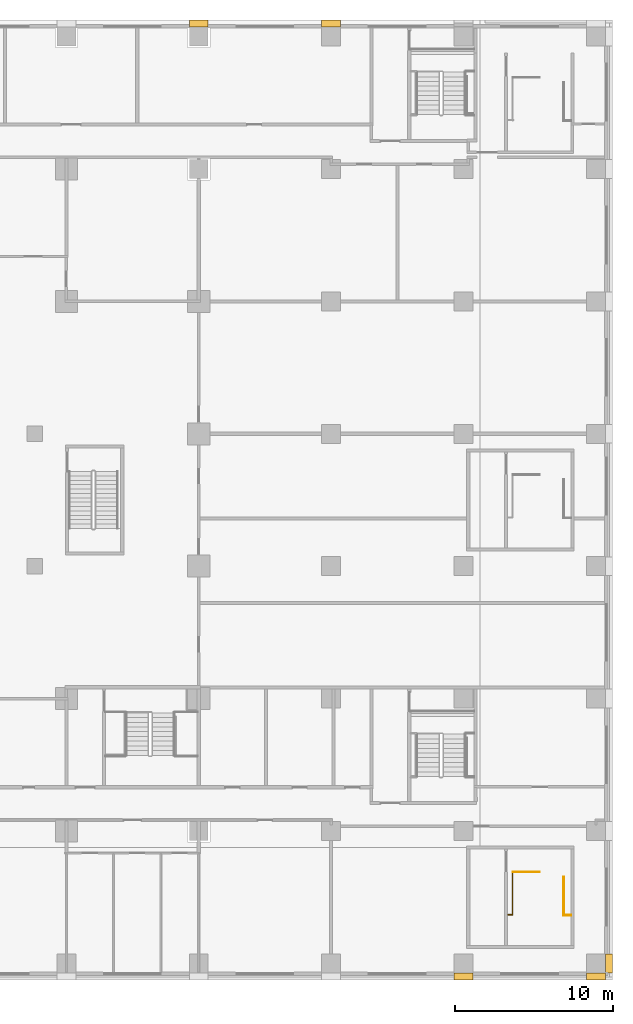
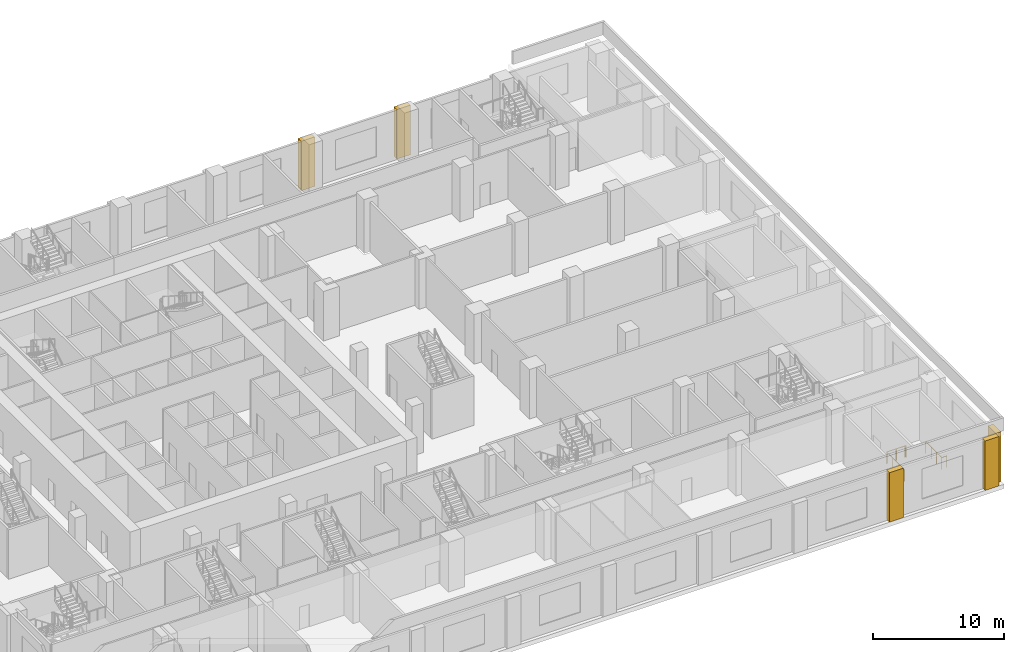
# One storey, part 21 of 23: 5 coverings, 3 railings.
"""IFC4 building model written with IfcOpenShell, lengths in metres."""

from ifc_helpers import new_model, si_unit, direction, frame, origin, origin_2d, place, context, subcontext, project, spatial, polyline, rectangle, outline, extrude, material, type_object, element, save


model = new_model("IFC4")

# Units and contexts
model_context = context("Model", 3, precision=1e-05, world=origin(), true_north=direction((0.0, 1.0)))
body_context = subcontext(model_context, "Body", "Model", "MODEL_VIEW")
ifc_project = project(units=[si_unit("LENGTHUNIT", "METRE"), si_unit("AREAUNIT", "SQUARE_METRE"), si_unit("VOLUMEUNIT", "CUBIC_METRE"), si_unit("PLANEANGLEUNIT", "RADIAN"), si_unit("MASSUNIT", "GRAM", prefix="KILO")], contexts=[model_context])

# Site, building, storey
site_placement = place(None, origin())
site = spatial("IfcSite", under=ifc_project, at=site_placement, CompositionType="ELEMENT")
building_placement = place(site_placement, origin())
building = spatial("IfcBuilding", under=site, at=building_placement, Name="Vermilion Ogive Tower", CompositionType="ELEMENT")
storey_placement = place(building_placement, frame((0.0, 0.0, 20.0)))
storey = spatial("IfcBuildingStorey", under=building, at=storey_placement, Name="L03", CompositionType="ELEMENT", Elevation=20.0)

# Railings
ifc_material_1 = material(Name="Steel S355 painted", Category="steel")
railing_type = type_object("IfcRailingType", Name="Stair guard 1100", PredefinedType="GUARDRAIL", material=ifc_material_1)
railing_1_placement = place(storey_placement, frame((45.14990234375, -23.60009765625, 0.0)))
element("IfcRailing", 1, at=railing_1_placement, inside=storey, type_object=railing_type, Name="L03 PES top well guard 1", PredefinedType="GUARDRAIL", context=body_context, shape_type="SweptSolid", body=[
    extrude(rectangle(XDim=0.048095703125, YDim=0.048095703125, at=origin_2d()), frame((0.0, 0.0, 1.076171875), z_axis=(1.0, 0.0, 0.0), x_axis=(0.0, 1.0, 0.0)), (0.0, 0.0, 1.0), 1.650146484375),
    extrude(rectangle(XDim=0.0419921875, YDim=0.0419921875, at=origin_2d()), origin(), (0.0, 0.0, 1.0), 1.052001953125),
    extrude(rectangle(XDim=0.0419921875, YDim=0.0419921875, at=origin_2d()), frame((0.8251953125, 0.0, 0.0)), (0.0, 0.0, 1.0), 1.052001953125),
    extrude(rectangle(XDim=0.0419921875, YDim=0.0419921875, at=origin_2d()), frame((1.650146484375, 0.0, 0.0)), (0.0, 0.0, 1.0), 1.052001953125),
])
railing_2_placement = place(storey_placement, frame((48.359130859375, -23.914794921875, 0.0)))
element("IfcRailing", 2, at=railing_2_placement, inside=storey, type_object=railing_type, Name="L03 stair opening guard", PredefinedType="GUARDRAIL", context=body_context, shape_type="SweptSolid", body=[
    extrude(rectangle(XDim=0.048095703125, YDim=0.048095703125, at=origin_2d()), frame((0.0, 0.0, 1.076171875), z_axis=(0.0, -1.0, 0.0), x_axis=(1.0, 0.0, 0.0)), (0.0, 0.0, 1.0), 2.424560546875),
    extrude(rectangle(XDim=0.048095703125, YDim=0.048095703125, at=origin_2d()), frame((0.0, -2.424560546875, 1.076171875), z_axis=(1.0, 0.0, 0.0), x_axis=(0.0, 1.0, 0.0)), (0.0, 0.0, 1.0), 0.439697265625),
    extrude(rectangle(XDim=0.0419921875, YDim=0.0419921875, at=origin_2d()), origin(), (0.0, 0.0, 1.0), 1.052001953125),
    extrude(rectangle(XDim=0.0419921875, YDim=0.0419921875, at=origin_2d()), frame((0.0, -0.80810546875, 0.0)), (0.0, 0.0, 1.0), 1.052001953125),
    extrude(rectangle(XDim=0.0419921875, YDim=0.0419921875, at=origin_2d()), frame((0.0, -1.616455078125, 0.0)), (0.0, 0.0, 1.0), 1.052001953125),
    extrude(rectangle(XDim=0.0419921875, YDim=0.0419921875, at=origin_2d()), frame((0.0, -2.424560546875, 0.0)), (0.0, 0.0, 1.0), 1.052001953125),
    extrude(rectangle(XDim=0.0419921875, YDim=0.0419921875, at=origin_2d()), frame((0.439697265625, -2.424560546875, 0.0)), (0.0, 0.0, 1.0), 1.052001953125),
])
railing_3_placement = place(storey_placement, frame((44.810791015625, -26.315673828125, 0.0)))
element("IfcRailing", 3, at=railing_3_placement, inside=storey, type_object=railing_type, Name="L03 stair opening guard", PredefinedType="GUARDRAIL", context=body_context, shape_type="SweptSolid", body=[
    extrude(rectangle(XDim=0.048095703125, YDim=0.048095703125, at=origin_2d()), frame((0.0, 0.0, 1.076171875), z_axis=(1.0, 0.0, 0.0), x_axis=(0.0, 1.0, 0.0)), (0.0, 0.0, 1.0), 0.289794921875),
    extrude(rectangle(XDim=0.048095703125, YDim=0.048095703125, at=origin_2d()), frame((0.289794921875, 0.0, 1.076171875), z_axis=(0.0, 1.0, 0.0), x_axis=(-1.0, 0.0, 0.0)), (0.0, 0.0, 1.0), 2.7001953125),
    extrude(rectangle(XDim=0.048095703125, YDim=0.048095703125, at=origin_2d()), frame((0.289794921875, 2.7001953125, 1.076171875), z_axis=(1.0, 0.0, 0.0), x_axis=(0.0, 1.0, 0.0)), (0.0, 0.0, 1.0), 1.600341796875),
    extrude(rectangle(XDim=0.0419921875, YDim=0.0419921875, at=origin_2d()), origin(), (0.0, 0.0, 1.0), 1.052001953125),
    extrude(rectangle(XDim=0.0419921875, YDim=0.0419921875, at=origin_2d()), frame((0.289794921875, 0.0, 0.0)), (0.0, 0.0, 1.0), 1.052001953125),
    extrude(rectangle(XDim=0.0419921875, YDim=0.0419921875, at=origin_2d()), frame((0.289794921875, 0.900146484375, 0.0)), (0.0, 0.0, 1.0), 1.052001953125),
    extrude(rectangle(XDim=0.0419921875, YDim=0.0419921875, at=origin_2d()), frame((0.289794921875, 1.800048828125, 0.0)), (0.0, 0.0, 1.0), 1.052001953125),
    extrude(rectangle(XDim=0.0419921875, YDim=0.0419921875, at=origin_2d()), frame((0.289794921875, 2.7001953125, 0.0)), (0.0, 0.0, 1.0), 1.052001953125),
    extrude(rectangle(XDim=0.0419921875, YDim=0.0419921875, at=origin_2d()), frame((1.08984375, 2.7001953125, 0.0)), (0.0, 0.0, 1.0), 1.052001953125),
    extrude(rectangle(XDim=0.0419921875, YDim=0.0419921875, at=origin_2d()), frame((1.89013671875, 2.7001953125, 0.0)), (0.0, 0.0, 1.0), 1.052001953125),
])

# Coverings
ifc_material_2 = material(Name="Stone cladding", Category="masonry")
covering_type = type_object("IfcCoveringType", Name="Stone pier", PredefinedType="CLADDING", material=ifc_material_2)
covering_1_placement = place(storey_placement, origin())
element("IfcCovering", 4, at=covering_1_placement, inside=storey, type_object=covering_type, Name="Stone pier P+252+294", PredefinedType="CLADDING", context=body_context, shape_type="SweptSolid", body=[
    extrude(outline(polyline([(24.60009765625, 30.449951171875), (25.800048828125, 30.449951171875), (25.800048828125, 30.0), (24.60009765625, 30.0), (24.60009765625, 30.449951171875)])), origin(), (0.0, 0.0, 1.0), 4.60009765625),
])
covering_2_placement = place(storey_placement, origin())
element("IfcCovering", 5, at=covering_2_placement, inside=storey, type_object=covering_type, Name="Stone pier P+336+294", PredefinedType="CLADDING", context=body_context, shape_type="SweptSolid", body=[
    extrude(outline(polyline([(33.0, 30.449951171875), (34.199951171875, 30.449951171875), (34.199951171875, 30.0), (33.0, 30.0), (33.0, 30.449951171875)])), origin(), (0.0, 0.0, 1.0), 4.60009765625),
])
covering_3_placement = place(storey_placement, origin())
element("IfcCovering", 6, at=covering_3_placement, inside=storey, type_object=covering_type, Name="Stone pier P+420-294", PredefinedType="CLADDING", context=body_context, shape_type="SweptSolid", body=[
    extrude(outline(polyline([(42.60009765625, -30.449951171875), (41.39990234375, -30.449951171875), (41.39990234375, -30.0), (42.60009765625, -30.0), (42.60009765625, -30.449951171875)])), origin(), (0.0, 0.0, 1.0), 4.60009765625),
])
covering_4_placement = place(storey_placement, origin())
element("IfcCovering", 7, at=covering_4_placement, inside=storey, type_object=covering_type, Name="Stone pier P+504-294S", PredefinedType="CLADDING", context=body_context, shape_type="SweptSolid", body=[
    extrude(outline(polyline([(51.0, -30.449951171875), (49.800048828125, -30.449951171875), (49.800048828125, -30.0), (51.0, -30.0), (51.0, -30.449951171875)])), origin(), (0.0, 0.0, 1.0), 4.60009765625),
])
covering_5_placement = place(storey_placement, origin())
element("IfcCovering", 8, at=covering_5_placement, inside=storey, type_object=covering_type, Name="Stone pier P+504-294E", PredefinedType="CLADDING", context=body_context, shape_type="SweptSolid", body=[
    extrude(outline(polyline([(51.449951171875, -30.0), (51.0, -30.0), (51.0, -28.800048828125), (51.449951171875, -28.800048828125), (51.449951171875, -30.0)])), origin(), (0.0, 0.0, 1.0), 4.60009765625),
])

save(model, "model.ifc")
